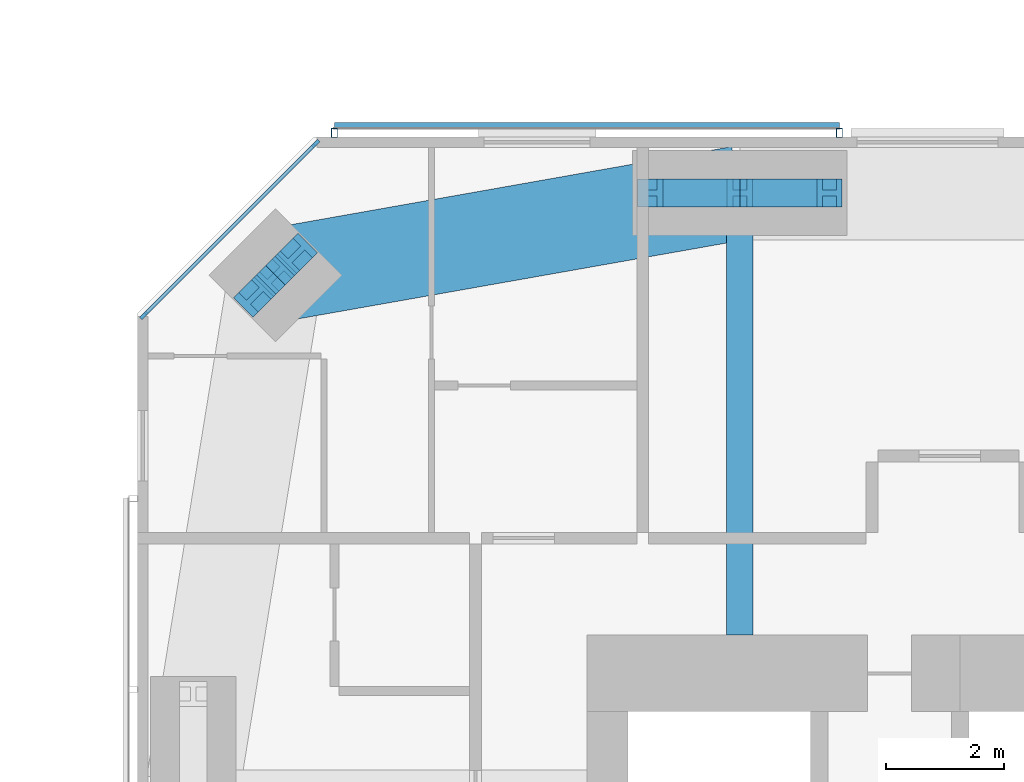
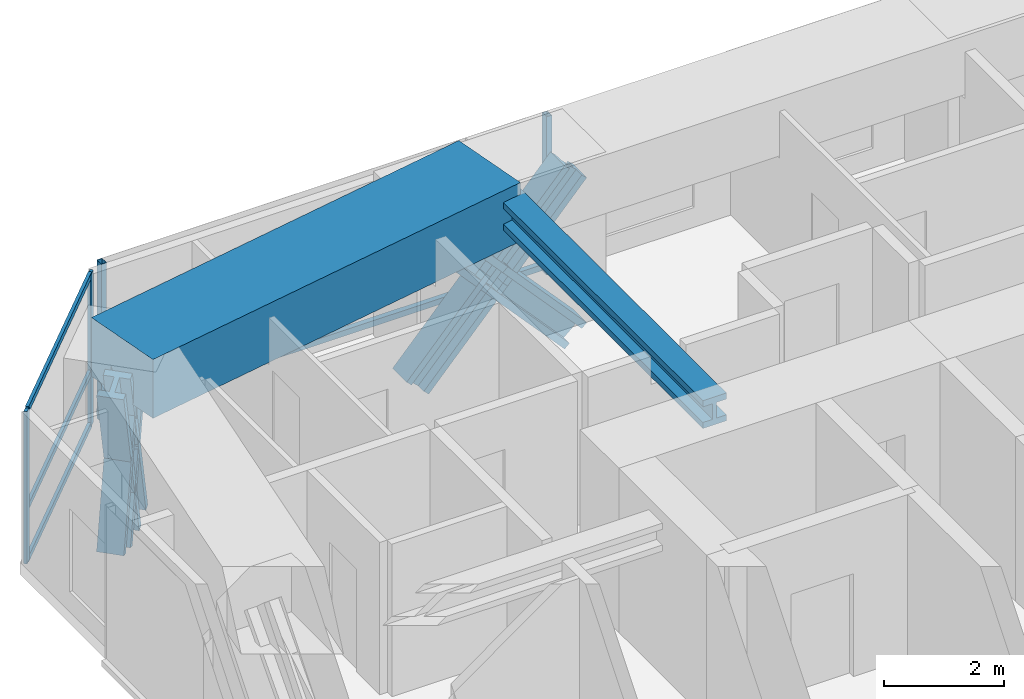
# One storey, part 11 of 23: 16 members, 2 beams, 2 elements without a shape of their own.
"""IFC4 building model written with IfcOpenShell, lengths in metres."""

from ifc_helpers import new_model, si_unit, direction, frame, origin, origin_2d, place, context, subcontext, project, spatial, rectangle, hollow_rectangle, i_section, extrude, material, material_profile, profile_set, type_object, element, aggregate, save


model = new_model("IFC4")

# Units and contexts
model_context = context("Model", 3, precision=1e-05, world=origin(), true_north=direction((0.0, 1.0)))
body_context = subcontext(model_context, "Body", "Model", "MODEL_VIEW")
ifc_project = project(units=[si_unit("LENGTHUNIT", "METRE"), si_unit("AREAUNIT", "SQUARE_METRE"), si_unit("VOLUMEUNIT", "CUBIC_METRE"), si_unit("PLANEANGLEUNIT", "RADIAN"), si_unit("MASSUNIT", "GRAM", prefix="KILO")], contexts=[model_context])

# Site, building, storey
site_placement = place(None, origin())
site = spatial("IfcSite", under=ifc_project, at=site_placement, CompositionType="ELEMENT")
building_placement = place(site_placement, origin())
building = spatial("IfcBuilding", under=site, at=building_placement, Name="Jalousie Tower", CompositionType="ELEMENT")
storey_placement = place(building_placement, frame((0.0, 0.0, 184.5)))
storey = spatial("IfcBuildingStorey", under=building, at=storey_placement, Name="L50", CompositionType="ELEMENT", Elevation=184.5)

# Curtain wall, members
ifc_material_1 = material(Name="Aluminium curtain wall", Category="aluminium")
curtain_wall_type_1 = type_object("IfcCurtainWallType", Name="CORNER WINDOW WALL", PredefinedType="USERDEFINED", material=ifc_material_1)
curtain_wall_1_placement = place(storey_placement, origin())
curtain_wall_1 = element("IfcCurtainWall", 1, at=curtain_wall_1_placement, inside=storey, type_object=curtain_wall_type_1, Name="Corner Window Wall L50 6", ObjectType="CORNER WINDOW WALL", PredefinedType="USERDEFINED")
ifc_material_2 = material(Name="Aluminium mullion", Category="aluminium")
ifc_material_profile_1 = material_profile(ifc_material_2, rectangle(XDim=0.06005859375, YDim=0.14990234375, at=origin_2d()), Name="MULLION 60x150")
ifc_profile_set_1 = profile_set([ifc_material_profile_1], Name="Aluminium mullion")
member_type_1 = type_object("IfcMemberType", Name="CORNER WINDOW WALL MULLION", PredefinedType="MULLION", material=ifc_profile_set_1)
member_1_placement = place(storey_placement, frame((15.030029296875, 35.891357421875, 0.0), z_axis=(0.0, 0.0, 1.0), x_axis=(0.707106781187, -0.707106781187, 0.0)))
member_1 = element("IfcMember", 2, at=member_1_placement, type_object=member_type_1, Name="CW-C mullion 1", PredefinedType="MULLION", context=body_context, shape_type="SweptSolid", body=[
    extrude(rectangle(XDim=0.06005859375, YDim=0.14990234375, at=origin_2d()), origin(), (0.0, 0.0, 1.0), 3.110107421875),
])
member_2_placement = place(storey_placement, frame((12.108642578125, 32.969970703125, 0.0), z_axis=(0.0, 0.0, 1.0), x_axis=(0.707106781187, -0.707106781187, 0.0)))
member_2 = element("IfcMember", 3, at=member_2_placement, type_object=member_type_1, Name="CW-C mullion 2", PredefinedType="MULLION", context=body_context, shape_type="SweptSolid", body=[
    extrude(rectangle(XDim=0.06005859375, YDim=0.14990234375, at=origin_2d()), origin(), (0.0, 0.0, 1.0), 3.110107421875),
])
ifc_material_3 = material(Name="Aluminium transom", Category="aluminium")
ifc_material_profile_2 = material_profile(ifc_material_3, rectangle(XDim=0.06005859375, YDim=0.1201171875, at=origin_2d()), Name="TRANSOM 60x120")
ifc_profile_set_2 = profile_set([ifc_material_profile_2], Name="Aluminium transom")
member_type_2 = type_object("IfcMemberType", Name="CORNER WINDOW WALL TRANSOM", PredefinedType="USERDEFINED", material=ifc_profile_set_2)
member_3_placement = place(storey_placement, frame((15.0087890625, 35.8701171875, 0.030029296875), z_axis=(-0.707106781187, -0.707106781187, 0.0), x_axis=(0.707106781187, -0.707106781187, 0.0)))
member_3 = element("IfcMember", 4, at=member_3_placement, type_object=member_type_2, Name="CW-C transom 1.1", ObjectType="TRANSOM", PredefinedType="USERDEFINED", context=body_context, shape_type="SweptSolid", body=[
    extrude(rectangle(XDim=0.06005859375, YDim=0.1201171875, at=origin_2d()), origin(), (0.0, 0.0, 1.0), 4.0712890625),
])
member_4_placement = place(storey_placement, frame((15.0087890625, 35.8701171875, 1.10009765625), z_axis=(-0.707106781187, -0.707106781187, 0.0), x_axis=(0.707106781187, -0.707106781187, 0.0)))
member_4 = element("IfcMember", 5, at=member_4_placement, type_object=member_type_2, Name="CW-C transom 1.2", ObjectType="TRANSOM", PredefinedType="USERDEFINED", context=body_context, shape_type="SweptSolid", body=[
    extrude(rectangle(XDim=0.06005859375, YDim=0.1201171875, at=origin_2d()), origin(), (0.0, 0.0, 1.0), 4.0712890625),
])
member_5_placement = place(storey_placement, frame((15.0087890625, 35.8701171875, 3.080078125), z_axis=(-0.707106781187, -0.707106781187, 0.0), x_axis=(0.707106781187, -0.707106781187, 0.0)))
member_5 = element("IfcMember", 6, at=member_5_placement, type_object=member_type_2, Name="CW-C transom 1.3", ObjectType="TRANSOM", PredefinedType="USERDEFINED", context=body_context, shape_type="SweptSolid", body=[
    extrude(rectangle(XDim=0.06005859375, YDim=0.1201171875, at=origin_2d()), origin(), (0.0, 0.0, 1.0), 4.0712890625),
])
aggregate(curtain_wall_1, [member_1, member_2, member_3, member_4, member_5])

# Beam
ifc_material_4 = material(Name="Steel ASTM A992 Grade 50", Category="steel")
ifc_material_profile_3 = material_profile(ifc_material_4, i_section(OverallWidth=0.45458984375, OverallDepth=0.569091796875, WebThickness=0.077880859375, FlangeThickness=0.124755859375, at=origin_2d()), Name="W14X730")
ifc_profile_set_3 = profile_set([ifc_material_profile_3], Name="Steel ASTM A992 Grade 50")
beam_type_1 = type_object("IfcBeamType", Name="LEAN COLLECTOR W14X730", PredefinedType="BEAM", material=ifc_profile_set_3)
beam_1_placement = place(storey_placement, frame((22.25, 35.050048828125, 2.825439453125), z_axis=(0.0, -1.0, 0.0), x_axis=(1.0, 0.0, 0.0)))
element("IfcBeam", 7, at=beam_1_placement, inside=storey, type_object=beam_type_1, Name="Lean collector under L51", PredefinedType="BEAM", context=body_context, shape_type="SweptSolid", body=[
    extrude(i_section(OverallWidth=0.45458984375, OverallDepth=0.569091796875, WebThickness=0.077880859375, FlangeThickness=0.124755859375, at=origin_2d()), origin(), (0.0, 0.0, 1.0), 7.525146484375),
])

# Members
ifc_material_5 = material(Name="Steel ASTM A992 Grade 50", Category="steel")
ifc_material_profile_4 = material_profile(ifc_material_5, i_section(OverallWidth=0.472412109375, OverallDepth=0.5791015625, WebThickness=0.094970703125, FlangeThickness=0.1298828125, at=origin_2d()), Name="W14X808")
ifc_profile_set_4 = profile_set([ifc_material_profile_4], Name="Steel ASTM A992 Grade 50")
member_type_3 = type_object("IfcMemberType", Name="PERIMETER BRACE W14X808", PredefinedType="BRACE", material=ifc_profile_set_4)
for number, where, z_axis, x_axis, name in (
    (8, (20.72509765625, 35.050048828125, -0.60009765625), (0.673187629365, 0.0, 0.739471713908), (0.0, 1.0, 0.0), "Perimeter brace 11 L50 part 1"),
    (9, (22.25, 35.050048828125, 1.074951171875), (0.673187629365, 0.0, 0.739471713908), (0.0, 1.0, 0.0), "Perimeter brace 11 L50 part 2"),
    (10, (23.77490234375, 35.050048828125, -0.60009765625), (-0.673187629365, 0.0, 0.739471713908), (0.0, -1.0, 0.0), "Perimeter brace 11 L50 part 3"),
    (11, (22.25, 35.050048828125, 1.074951171875), (-0.673187629365, 0.0, 0.739471713908), (0.0, -1.0, 0.0), "Perimeter brace 11 L50 part 4"),
):
    element("IfcMember", number, at=place(storey_placement, frame(where, z_axis=z_axis, x_axis=x_axis)), inside=storey, type_object=member_type_3, Name=name, PredefinedType="BRACE", context=body_context, shape_type="SweptSolid", body=[
        extrude(i_section(OverallWidth=0.472412109375, OverallDepth=0.5791015625, WebThickness=0.094970703125, FlangeThickness=0.1298828125, at=origin_2d()), origin(), (0.0, 0.0, 1.0), 2.26513671875),
    ])
for number, where, z_axis, x_axis, name in (
    (12, (14.7021484375, 34.0048828125, -0.60009765625), (-0.202372069365, -0.202092742837, 0.958229653493), (0.706618279267, -0.707594945859, 0.0), "Perimeter brace 12 L50 part 1"),
    (13, (14.348388671875, 33.651611328125, 1.074951171875), (-0.202092742837, -0.202372069365, 0.958229653493), (0.707594945859, -0.706618279267, 0.0), "Perimeter brace 12 L50 part 2"),
    (14, (13.9951171875, 33.2978515625, -0.60009765625), (0.202092742837, 0.202372069365, 0.958229653493), (-0.707594945859, 0.706618279267, 0.0), "Perimeter brace 12 L50 part 3"),
    (15, (14.348388671875, 33.651611328125, 1.074951171875), (0.202372069365, 0.202092742837, 0.958229653493), (-0.706618279267, 0.707594945859, 0.0), "Perimeter brace 12 L50 part 4"),
):
    element("IfcMember", number, at=place(storey_placement, frame(where, z_axis=z_axis, x_axis=x_axis)), inside=storey, type_object=member_type_3, Name=name, PredefinedType="BRACE", context=body_context, shape_type="SweptSolid", body=[
        extrude(i_section(OverallWidth=0.472412109375, OverallDepth=0.5791015625, WebThickness=0.094970703125, FlangeThickness=0.1298828125, at=origin_2d()), origin(), (0.0, 0.0, 1.0), 1.748046875),
    ])

# Beam
ifc_material_6 = material(Name="Concrete f'c 40 MPa", Category="concrete")
ifc_material_profile_5 = material_profile(ifc_material_6, rectangle(XDim=1.60009765625, YDim=1.199951171875, at=origin_2d()), Name="RC 1600x1200")
ifc_profile_set_5 = profile_set([ifc_material_profile_5], Name="Concrete f'c 40 MPa")
beam_type_2 = type_object("IfcBeamType", Name="RC BEAM 1600x1200", PredefinedType="BEAM", material=ifc_profile_set_5)
beam_2_placement = place(storey_placement, frame((22.25, 35.050048828125, 2.75), z_axis=(-0.984697370688, -0.174273027632, 0.0), x_axis=(0.174273027632, -0.984697370688, 0.0)))
element("IfcBeam", 16, at=beam_2_placement, inside=storey, type_object=beam_type_2, Name="Edge band beam 11-12 under L51", PredefinedType="BEAM", context=body_context, shape_type="SweptSolid", body=[
    extrude(rectangle(XDim=1.60009765625, YDim=1.199951171875, at=origin_2d()), origin(), (0.0, 0.0, 1.0), 8.0244140625),
])

# Curtain wall, members
ifc_material_7 = material(Name="Perforated aluminium sheet", Category="aluminium")
curtain_wall_type_2 = type_object("IfcCurtainWallType", Name="SOLAR SCREEN SS-1", PredefinedType="USERDEFINED", material=ifc_material_7)
curtain_wall_2_placement = place(storey_placement, origin())
curtain_wall_2 = element("IfcCurtainWall", 17, at=curtain_wall_2_placement, inside=storey, type_object=curtain_wall_type_2, Name="Solar screen L50", ObjectType="SOLAR SCREEN SS-1", PredefinedType="USERDEFINED")
ifc_material_8 = material(Name="Steel ASTM A500 Grade C", Category="steel")
ifc_material_profile_6 = material_profile(ifc_material_8, hollow_rectangle(XDim=0.1015625, YDim=0.15234375, WallThickness=0.00634765625, at=origin_2d()), Name="HSS6X4X1/4")
ifc_profile_set_6 = profile_set([ifc_material_profile_6], Name="Steel ASTM A500 Grade C")
member_type_4 = type_object("IfcMemberType", Name="SOLAR SCREEN SS-1 MULLION", PredefinedType="MULLION", material=ifc_profile_set_6)
member_6_placement = place(storey_placement, frame((23.945068359375, 36.0712890625, -0.1201171875), z_axis=(0.0, 0.0, 1.0), x_axis=(-1.0, 0.0, 0.0)))
member_6 = element("IfcMember", 18, at=member_6_placement, type_object=member_type_4, Name="SS1 post 1", PredefinedType="MULLION", context=body_context, shape_type="SweptSolid", body=[
    extrude(hollow_rectangle(XDim=0.1015625, YDim=0.15234375, WallThickness=0.00634765625, at=origin_2d()), origin(), (0.0, 0.0, 1.0), 3.230224609375),
])
member_7_placement = place(storey_placement, frame((15.351318359375, 36.0712890625, -0.1201171875), z_axis=(0.0, 0.0, 1.0), x_axis=(-1.0, 0.0, 0.0)))
member_7 = element("IfcMember", 19, at=member_7_placement, type_object=member_type_4, Name="SS1 post 2", PredefinedType="MULLION", context=body_context, shape_type="SweptSolid", body=[
    extrude(hollow_rectangle(XDim=0.1015625, YDim=0.15234375, WallThickness=0.00634765625, at=origin_2d()), origin(), (0.0, 0.0, 1.0), 3.230224609375),
])
ifc_material_9 = material(Name="Extruded aluminium screen rail", Category="aluminium")
ifc_material_profile_7 = material_profile(ifc_material_9, rectangle(XDim=0.1015625, YDim=0.1201171875, at=origin_2d()), Name="RAIL 102x120")
ifc_profile_set_7 = profile_set([ifc_material_profile_7], Name="Extruded aluminium screen rail")
member_type_5 = type_object("IfcMemberType", Name="SOLAR SCREEN SS-1 TRANSOM", PredefinedType="USERDEFINED", material=ifc_profile_set_7)
member_8_placement = place(storey_placement, frame((23.945068359375, 36.1982421875, -0.06005859375), z_axis=(-1.0, 0.0, 0.0), x_axis=(0.0, -1.0, 0.0)))
member_8 = element("IfcMember", 20, at=member_8_placement, type_object=member_type_5, Name="SS1 rail", ObjectType="TRANSOM", PredefinedType="USERDEFINED", context=body_context, shape_type="SweptSolid", body=[
    extrude(rectangle(XDim=0.1015625, YDim=0.1201171875, at=origin_2d()), origin(), (0.0, 0.0, 1.0), 8.59375),
])
aggregate(curtain_wall_2, [member_6, member_7, member_8])

save(model, "model.ifc")
